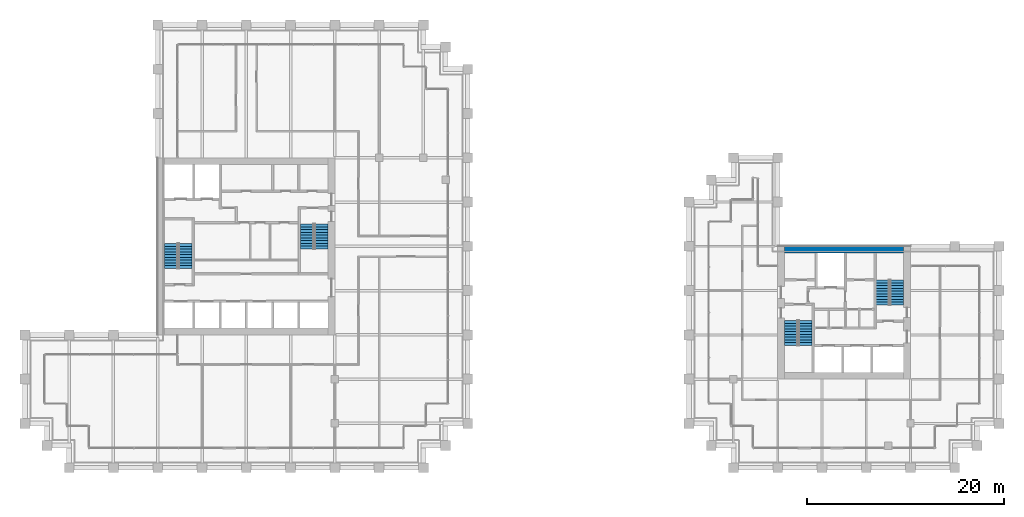
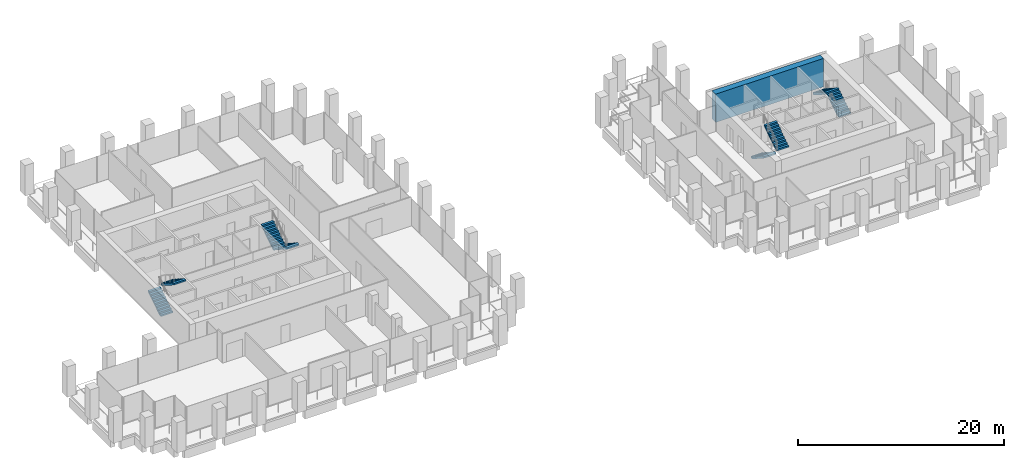
# One storey, part 44 of 46: 8 stair flights, 1 wall, 4 elements without a shape of their own.
"""IFC4 building model written with IfcOpenShell, lengths in metres."""

from ifc_helpers import new_model, si_unit, direction, frame, frame_2d, origin, place, context, subcontext, project, spatial, polyline, rectangle, outline, extrude, material, layer, layer_set, type_object, element, aggregate, save


model = new_model("IFC4")

# Units and contexts
model_context = context("Model", 3, precision=1e-05, world=origin(), true_north=direction((0.0, 1.0)))
body_context = subcontext(model_context, "Body", "Model", "MODEL_VIEW")
ifc_project = project(units=[si_unit("LENGTHUNIT", "METRE"), si_unit("AREAUNIT", "SQUARE_METRE"), si_unit("VOLUMEUNIT", "CUBIC_METRE"), si_unit("PLANEANGLEUNIT", "RADIAN"), si_unit("MASSUNIT", "GRAM", prefix="KILO")], contexts=[model_context])

# Site, building, storey
site_placement = place(None, origin())
site = spatial("IfcSite", under=ifc_project, at=site_placement, CompositionType="ELEMENT")
building_placement = place(site_placement, origin())
building = spatial("IfcBuilding", under=site, at=building_placement, Name="Altepetl Exchange Towers", CompositionType="ELEMENT")
storey_placement = place(building_placement, frame((0.0, 0.0, 106.39990234375)))
storey = spatial("IfcBuildingStorey", under=building, at=storey_placement, Name="L26", CompositionType="ELEMENT", Elevation=106.39990234375)

# Wall
ifc_material_1 = material(Name="Concrete C70/85", Category="concrete")
ifc_layer = layer(ifc_material_1, 0.699951171875)
ifc_layer_set = layer_set([ifc_layer], Name="Concrete C70/85")
wall_type = type_object("IfcWallType", Name="Core wall 700 reinforced concrete external", PredefinedType="SHEAR", material=ifc_layer_set)
wall_placement = place(storey_placement, frame((104.199951171875, 49.14990234375, 0.0)))
element("IfcWall", 1, at=wall_placement, inside=storey, type_object=wall_type, Name="wall:B:L26:K-coreN", PredefinedType="SHEAR", context=body_context, shape_type="SweptSolid", body=[
    extrude(rectangle(XDim=12.10009765625, YDim=0.699951171875, at=frame_2d((6.050048828125, 0.0))), origin(), (0.0, 0.0, 1.0), 3.35009765625),
])

# Stair, stair flights
ifc_material_2 = material(Name="Concrete C40/50", Category="concrete")
stair_type = type_object("IfcStairType", Name="Exit stair 1350 flights dogleg", PredefinedType="HALF_TURN_STAIR", material=ifc_material_2)
stair_1_placement = place(storey_placement, origin())
stair_1 = element("IfcStair", 2, at=stair_1_placement, inside=storey, type_object=stair_type, Name="Exit stair 1", PredefinedType="HALF_TURN_STAIR")
stair_flight_type = type_object("IfcStairFlightType", Name="Stair flight 1350 wide", PredefinedType="STRAIGHT", material=ifc_material_2)
stair_flight_1_placement = place(storey_placement, frame((41.875, 47.25, 0.0), z_axis=(0.0, 0.0, 1.0), x_axis=(0.0, 1.0, 0.0)))
stair_flight_1 = element("IfcStairFlight", 3, at=stair_flight_1_placement, type_object=stair_flight_type, Name="ST-A1d flight 1", NumberOfRisers=10, NumberOfTreads=9, PredefinedType="STRAIGHT", RiserHeight=0.18, TreadLength=0.28, context=body_context, shape_type="SweptSolid", body=[
    extrude(outline(polyline([(0.0, 0.0), (0.0, 0.179931640625), (0.280029296875, 0.179931640625), (0.280029296875, 0.360107421875), (0.56005859375, 0.360107421875), (0.56005859375, 0.5400390625), (0.840087890625, 0.5400390625), (0.840087890625, 0.719970703125), (1.1201171875, 0.719970703125), (1.1201171875, 0.89990234375), (1.39990234375, 0.89990234375), (1.39990234375, 1.080078125), (1.679931640625, 1.080078125), (1.679931640625, 1.260009765625), (1.9599609375, 1.260009765625), (1.9599609375, 1.43994140625), (2.239990234375, 1.43994140625), (2.239990234375, 1.6201171875), (2.52001953125, 1.6201171875), (2.52001953125, 1.800048828125), (2.52001953125, 1.44189453125), (0.277099609375, 0.0), (0.0, 0.0)])), frame((0.0, 0.675048828125, 0.0), z_axis=(0.0, -1.0, 0.0), x_axis=(1.0, 0.0, 0.0)), (0.0, 0.0, 1.0), 1.35009765625),
])
stair_flight_2_placement = place(storey_placement, frame((43.324951171875, 49.77001953125, 1.800048828125), z_axis=(0.0, 0.0, 1.0), x_axis=(0.0, -1.0, 0.0)))
stair_flight_2 = element("IfcStairFlight", 4, at=stair_flight_2_placement, type_object=stair_flight_type, Name="ST-A1d flight 2", NumberOfRisers=10, NumberOfTreads=9, PredefinedType="STRAIGHT", RiserHeight=0.18, TreadLength=0.28, context=body_context, shape_type="SweptSolid", body=[
    extrude(outline(polyline([(0.0, 0.0), (0.0, 0.179931640625), (0.280029296875, 0.179931640625), (0.280029296875, 0.360107421875), (0.56005859375, 0.360107421875), (0.56005859375, 0.5400390625), (0.840087890625, 0.5400390625), (0.840087890625, 0.719970703125), (1.1201171875, 0.719970703125), (1.1201171875, 0.89990234375), (1.39990234375, 0.89990234375), (1.39990234375, 1.080078125), (1.679931640625, 1.080078125), (1.679931640625, 1.260009765625), (1.9599609375, 1.260009765625), (1.9599609375, 1.43994140625), (2.239990234375, 1.43994140625), (2.239990234375, 1.6201171875), (2.52001953125, 1.6201171875), (2.52001953125, 1.800048828125), (2.52001953125, 1.44189453125), (0.277099609375, 0.0), (0.0, 0.0)])), frame((0.0, 0.675048828125, 0.0), z_axis=(0.0, -1.0, 0.0), x_axis=(1.0, 0.0, 0.0)), (0.0, 0.0, 1.0), 1.35009765625),
])
aggregate(stair_1, [stair_flight_1, stair_flight_2])

stair_2_placement = place(storey_placement, origin())
stair_2 = element("IfcStair", 5, at=stair_2_placement, inside=storey, type_object=stair_type, Name="Exit stair 2", PredefinedType="HALF_TURN_STAIR")
stair_flight_3_placement = place(storey_placement, frame((57.125, 51.75, 0.0), z_axis=(0.0, 0.0, 1.0), x_axis=(0.0, -1.0, 0.0)))
stair_flight_3 = element("IfcStairFlight", 6, at=stair_flight_3_placement, type_object=stair_flight_type, Name="ST-A2d flight 1", NumberOfRisers=10, NumberOfTreads=9, PredefinedType="STRAIGHT", RiserHeight=0.18, TreadLength=0.28, context=body_context, shape_type="SweptSolid", body=[
    extrude(outline(polyline([(0.0, 0.0), (0.0, 0.179931640625), (0.280029296875, 0.179931640625), (0.280029296875, 0.360107421875), (0.56005859375, 0.360107421875), (0.56005859375, 0.5400390625), (0.840087890625, 0.5400390625), (0.840087890625, 0.719970703125), (1.1201171875, 0.719970703125), (1.1201171875, 0.89990234375), (1.39990234375, 0.89990234375), (1.39990234375, 1.080078125), (1.679931640625, 1.080078125), (1.679931640625, 1.260009765625), (1.9599609375, 1.260009765625), (1.9599609375, 1.43994140625), (2.239990234375, 1.43994140625), (2.239990234375, 1.6201171875), (2.52001953125, 1.6201171875), (2.52001953125, 1.800048828125), (2.52001953125, 1.44189453125), (0.277099609375, 0.0), (0.0, 0.0)])), frame((0.0, 0.675048828125, 0.0), z_axis=(0.0, -1.0, 0.0), x_axis=(1.0, 0.0, 0.0)), (0.0, 0.0, 1.0), 1.35009765625),
])
stair_flight_4_placement = place(storey_placement, frame((55.675048828125, 49.22998046875, 1.800048828125), z_axis=(0.0, 0.0, 1.0), x_axis=(0.0, 1.0, 0.0)))
stair_flight_4 = element("IfcStairFlight", 7, at=stair_flight_4_placement, type_object=stair_flight_type, Name="ST-A2d flight 2", NumberOfRisers=10, NumberOfTreads=9, PredefinedType="STRAIGHT", RiserHeight=0.18, TreadLength=0.28, context=body_context, shape_type="SweptSolid", body=[
    extrude(outline(polyline([(0.0, 0.0), (0.0, 0.179931640625), (0.280029296875, 0.179931640625), (0.280029296875, 0.360107421875), (0.56005859375, 0.360107421875), (0.56005859375, 0.5400390625), (0.840087890625, 0.5400390625), (0.840087890625, 0.719970703125), (1.1201171875, 0.719970703125), (1.1201171875, 0.89990234375), (1.39990234375, 0.89990234375), (1.39990234375, 1.080078125), (1.679931640625, 1.080078125), (1.679931640625, 1.260009765625), (1.9599609375, 1.260009765625), (1.9599609375, 1.43994140625), (2.239990234375, 1.43994140625), (2.239990234375, 1.6201171875), (2.52001953125, 1.6201171875), (2.52001953125, 1.800048828125), (2.52001953125, 1.44189453125), (0.277099609375, 0.0), (0.0, 0.0)])), frame((0.0, 0.675048828125, 0.0), z_axis=(0.0, -1.0, 0.0), x_axis=(1.0, 0.0, 0.0)), (0.0, 0.0, 1.0), 1.35009765625),
])
aggregate(stair_2, [stair_flight_3, stair_flight_4])

stair_3_placement = place(storey_placement, origin())
stair_3 = element("IfcStair", 8, at=stair_3_placement, inside=storey, type_object=stair_type, Name="Exit stair 1", PredefinedType="HALF_TURN_STAIR")
stair_flight_5_placement = place(storey_placement, frame((104.875, 41.949951171875, 0.0), z_axis=(0.0, 0.0, 1.0), x_axis=(0.0, -1.0, 0.0)))
stair_flight_5 = element("IfcStairFlight", 9, at=stair_flight_5_placement, type_object=stair_flight_type, Name="ST-B1d flight 1", NumberOfRisers=10, NumberOfTreads=9, PredefinedType="STRAIGHT", RiserHeight=0.18, TreadLength=0.28, context=body_context, shape_type="SweptSolid", body=[
    extrude(outline(polyline([(0.0, 0.0), (0.0, 0.179931640625), (0.280029296875, 0.179931640625), (0.280029296875, 0.360107421875), (0.56005859375, 0.360107421875), (0.56005859375, 0.5400390625), (0.840087890625, 0.5400390625), (0.840087890625, 0.719970703125), (1.1201171875, 0.719970703125), (1.1201171875, 0.89990234375), (1.39990234375, 0.89990234375), (1.39990234375, 1.080078125), (1.679931640625, 1.080078125), (1.679931640625, 1.260009765625), (1.9599609375, 1.260009765625), (1.9599609375, 1.43994140625), (2.239990234375, 1.43994140625), (2.239990234375, 1.6201171875), (2.52001953125, 1.6201171875), (2.52001953125, 1.800048828125), (2.52001953125, 1.44189453125), (0.277099609375, 0.0), (0.0, 0.0)])), frame((0.0, 0.675048828125, 0.0), z_axis=(0.0, -1.0, 0.0), x_axis=(1.0, 0.0, 0.0)), (0.0, 0.0, 1.0), 1.35009765625),
])
stair_flight_6_placement = place(storey_placement, frame((106.324951171875, 39.429931640625, 1.800048828125), z_axis=(0.0, 0.0, 1.0), x_axis=(0.0, 1.0, 0.0)))
stair_flight_6 = element("IfcStairFlight", 10, at=stair_flight_6_placement, type_object=stair_flight_type, Name="ST-B1d flight 2", NumberOfRisers=10, NumberOfTreads=9, PredefinedType="STRAIGHT", RiserHeight=0.18, TreadLength=0.28, context=body_context, shape_type="SweptSolid", body=[
    extrude(outline(polyline([(0.0, 0.0), (0.0, 0.179931640625), (0.280029296875, 0.179931640625), (0.280029296875, 0.360107421875), (0.56005859375, 0.360107421875), (0.56005859375, 0.5400390625), (0.840087890625, 0.5400390625), (0.840087890625, 0.719970703125), (1.1201171875, 0.719970703125), (1.1201171875, 0.89990234375), (1.39990234375, 0.89990234375), (1.39990234375, 1.080078125), (1.679931640625, 1.080078125), (1.679931640625, 1.260009765625), (1.9599609375, 1.260009765625), (1.9599609375, 1.43994140625), (2.239990234375, 1.43994140625), (2.239990234375, 1.6201171875), (2.52001953125, 1.6201171875), (2.52001953125, 1.800048828125), (2.52001953125, 1.44189453125), (0.277099609375, 0.0), (0.0, 0.0)])), frame((0.0, 0.675048828125, 0.0), z_axis=(0.0, -1.0, 0.0), x_axis=(1.0, 0.0, 0.0)), (0.0, 0.0, 1.0), 1.35009765625),
])
aggregate(stair_3, [stair_flight_5, stair_flight_6])

stair_4_placement = place(storey_placement, origin())
stair_4 = element("IfcStair", 11, at=stair_4_placement, inside=storey, type_object=stair_type, Name="Exit stair 2", PredefinedType="HALF_TURN_STAIR")
stair_flight_7_placement = place(storey_placement, frame((115.625, 43.550048828125, 0.0), z_axis=(0.0, 0.0, 1.0), x_axis=(0.0, 1.0, 0.0)))
stair_flight_7 = element("IfcStairFlight", 12, at=stair_flight_7_placement, type_object=stair_flight_type, Name="ST-B2d flight 1", NumberOfRisers=10, NumberOfTreads=9, PredefinedType="STRAIGHT", RiserHeight=0.18, TreadLength=0.28, context=body_context, shape_type="SweptSolid", body=[
    extrude(outline(polyline([(0.0, 0.0), (0.0, 0.179931640625), (0.280029296875, 0.179931640625), (0.280029296875, 0.360107421875), (0.56005859375, 0.360107421875), (0.56005859375, 0.5400390625), (0.840087890625, 0.5400390625), (0.840087890625, 0.719970703125), (1.1201171875, 0.719970703125), (1.1201171875, 0.89990234375), (1.39990234375, 0.89990234375), (1.39990234375, 1.080078125), (1.679931640625, 1.080078125), (1.679931640625, 1.260009765625), (1.9599609375, 1.260009765625), (1.9599609375, 1.43994140625), (2.239990234375, 1.43994140625), (2.239990234375, 1.6201171875), (2.52001953125, 1.6201171875), (2.52001953125, 1.800048828125), (2.52001953125, 1.44189453125), (0.277099609375, 0.0), (0.0, 0.0)])), frame((0.0, 0.675048828125, 0.0), z_axis=(0.0, -1.0, 0.0), x_axis=(1.0, 0.0, 0.0)), (0.0, 0.0, 1.0), 1.35009765625),
])
stair_flight_8_placement = place(storey_placement, frame((114.175048828125, 46.070068359375, 1.800048828125), z_axis=(0.0, 0.0, 1.0), x_axis=(0.0, -1.0, 0.0)))
stair_flight_8 = element("IfcStairFlight", 13, at=stair_flight_8_placement, type_object=stair_flight_type, Name="ST-B2d flight 2", NumberOfRisers=10, NumberOfTreads=9, PredefinedType="STRAIGHT", RiserHeight=0.18, TreadLength=0.28, context=body_context, shape_type="SweptSolid", body=[
    extrude(outline(polyline([(0.0, 0.0), (0.0, 0.179931640625), (0.280029296875, 0.179931640625), (0.280029296875, 0.360107421875), (0.56005859375, 0.360107421875), (0.56005859375, 0.5400390625), (0.840087890625, 0.5400390625), (0.840087890625, 0.719970703125), (1.1201171875, 0.719970703125), (1.1201171875, 0.89990234375), (1.39990234375, 0.89990234375), (1.39990234375, 1.080078125), (1.679931640625, 1.080078125), (1.679931640625, 1.260009765625), (1.9599609375, 1.260009765625), (1.9599609375, 1.43994140625), (2.239990234375, 1.43994140625), (2.239990234375, 1.6201171875), (2.52001953125, 1.6201171875), (2.52001953125, 1.800048828125), (2.52001953125, 1.44189453125), (0.277099609375, 0.0), (0.0, 0.0)])), frame((0.0, 0.675048828125, 0.0), z_axis=(0.0, -1.0, 0.0), x_axis=(1.0, 0.0, 0.0)), (0.0, 0.0, 1.0), 1.35009765625),
])
aggregate(stair_4, [stair_flight_7, stair_flight_8])

save(model, "model.ifc")
